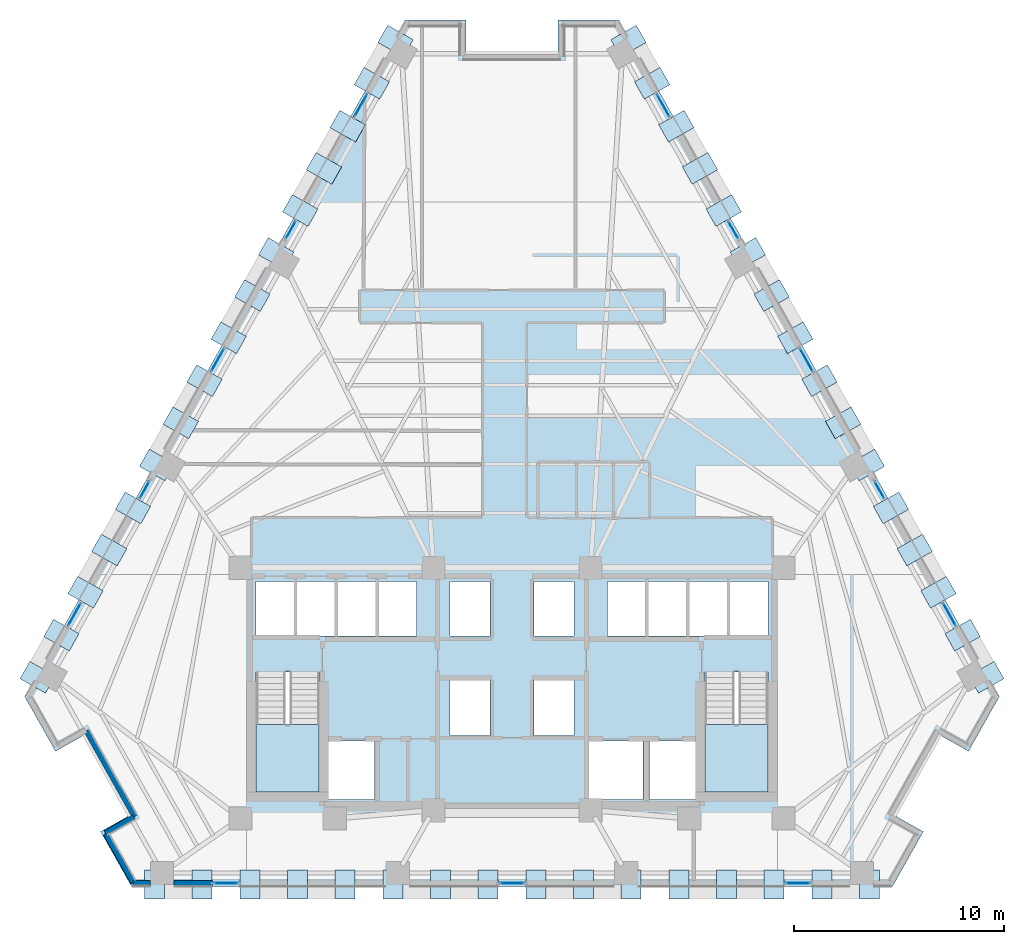
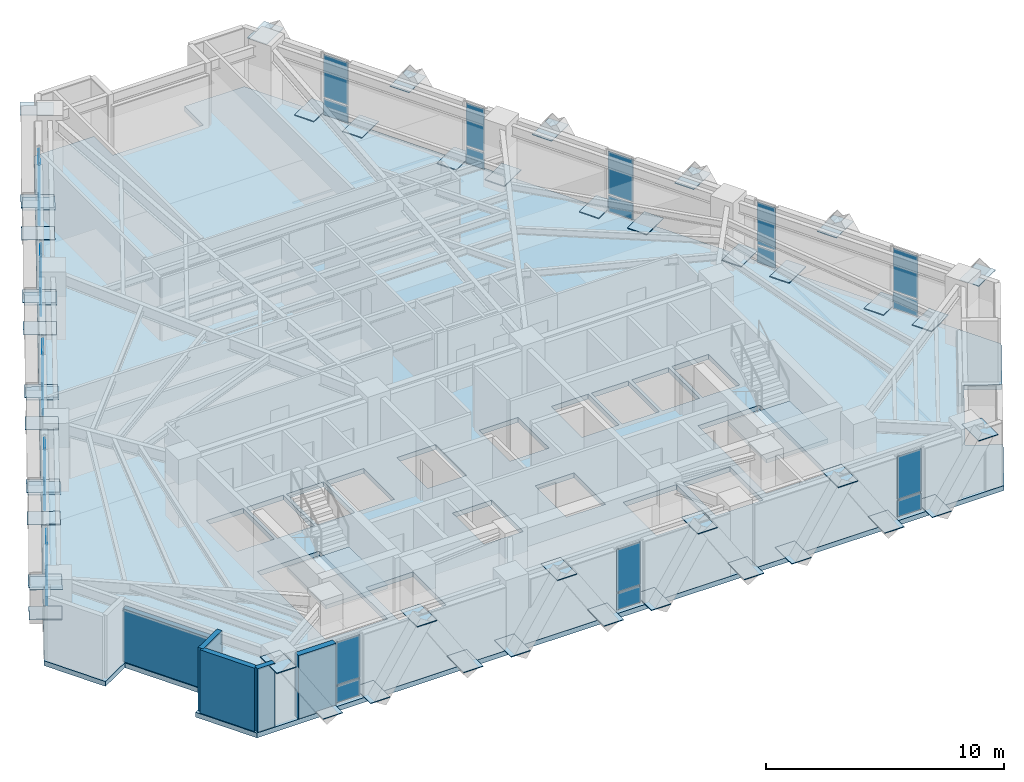
# One storey, part 6 of 13: 74 plates, 5 walls, 3 slabs, 15 elements without a shape of their own.
"""IFC4 building model written with IfcOpenShell, lengths in metres."""

from ifc_helpers import new_model, si_unit, direction, frame, frame_2d, origin, origin_2d, place, context, subcontext, project, spatial, polyline, rectangle, outline, extrude, material, layer, layer_set, type_object, element, aggregate, save


model = new_model("IFC4")

# Units and contexts
model_context = context("Model", 3, precision=1e-05, world=origin(), true_north=direction((0.0, 1.0)))
body_context = subcontext(model_context, "Body", "Model", "MODEL_VIEW")
ifc_project = project(units=[si_unit("LENGTHUNIT", "METRE"), si_unit("AREAUNIT", "SQUARE_METRE"), si_unit("VOLUMEUNIT", "CUBIC_METRE"), si_unit("PLANEANGLEUNIT", "RADIAN"), si_unit("MASSUNIT", "GRAM", prefix="KILO")], contexts=[model_context])

# Site, building, storey
site_placement = place(None, origin())
site = spatial("IfcSite", under=ifc_project, at=site_placement, CompositionType="ELEMENT")
building_placement = place(site_placement, origin())
building = spatial("IfcBuilding", under=site, at=building_placement, Name="Quenlor Broadcast Tower", CompositionType="ELEMENT")
storey_placement = place(building_placement, frame((0.0, 0.0, 83.60009765625)))
storey = spatial("IfcBuildingStorey", under=building, at=storey_placement, Name="L22", CompositionType="ELEMENT", Elevation=83.60009765625)

# Curtain wall, plates
ifc_material_1 = material(Name="Architectural Terracotta and Low-E Glazing", Category="masonry")
curtain_wall_type = type_object("IfcCurtainWallType", Name="Unitised Terracotta Curtain Wall System Z2", PredefinedType="NOTDEFINED", material=ifc_material_1)
curtain_wall_1_placement = place(storey_placement, origin())
curtain_wall_1 = element("IfcCurtainWall", 1, at=curtain_wall_1_placement, inside=storey, type_object=curtain_wall_type, Name="L22 Curtain Wall CW2 (L22-SA-G1)", PredefinedType="NOTDEFINED")
ifc_material_2 = material(Name="Double Glazed Low-E Solar Glass", Category="glass")
ifc_layer_1 = layer(ifc_material_2, 0.030029296875)
ifc_layer_set_1 = layer_set([ifc_layer_1], Name="CW2 Double Glazed Vision Panel 30")
plate_type_1 = type_object("IfcPlateType", Name="CW2 Double Glazed Vision Panel 30", PredefinedType="CURTAIN_PANEL", material=ifc_layer_set_1)
plate_1_placement = place(storey_placement, frame((13.63525390625, -19.840087890625, 0.074951171875), z_axis=(0.0, 0.0, 1.0), x_axis=(-1.0, 0.0, 0.0)))
plate_1 = element("IfcPlate", 2, at=plate_1_placement, type_object=plate_type_1, Name="CW2 panel 1.1", PredefinedType="CURTAIN_PANEL", context=body_context, shape_type="SweptSolid", body=[
    extrude(rectangle(XDim=1.1630859375, YDim=0.030029296875, at=origin_2d()), origin(), (0.0, 0.0, 1.0), 0.83740234375),
])
plate_2_placement = place(storey_placement, frame((13.63525390625, -19.840087890625, 0.9873046875), z_axis=(0.0, 0.0, 1.0), x_axis=(-1.0, 0.0, 0.0)))
plate_2 = element("IfcPlate", 3, at=plate_2_placement, type_object=plate_type_1, Name="CW2 panel 1.2", PredefinedType="CURTAIN_PANEL", context=body_context, shape_type="SweptSolid", body=[
    extrude(rectangle(XDim=1.1630859375, YDim=0.030029296875, at=origin_2d()), origin(), (0.0, 0.0, 1.0), 2.1875),
])
aggregate(curtain_wall_1, [plate_1, plate_2])

curtain_wall_2_placement = place(storey_placement, origin())
curtain_wall_2 = element("IfcCurtainWall", 4, at=curtain_wall_2_placement, inside=storey, type_object=curtain_wall_type, Name="L22 Curtain Wall CW2 (L22-SC-G1)", PredefinedType="NOTDEFINED")
plate_3_placement = place(storey_placement, frame((-13.63525390625, -19.840087890625, 0.074951171875), z_axis=(0.0, 0.0, 1.0), x_axis=(-1.0, 0.0, 0.0)))
plate_3 = element("IfcPlate", 5, at=plate_3_placement, type_object=plate_type_1, Name="CW2 panel 1.1", PredefinedType="CURTAIN_PANEL", context=body_context, shape_type="SweptSolid", body=[
    extrude(rectangle(XDim=1.1630859375, YDim=0.030029296875, at=origin_2d()), origin(), (0.0, 0.0, 1.0), 0.83740234375),
])
plate_4_placement = place(storey_placement, frame((-13.63525390625, -19.840087890625, 0.9873046875), z_axis=(0.0, 0.0, 1.0), x_axis=(-1.0, 0.0, 0.0)))
plate_4 = element("IfcPlate", 6, at=plate_4_placement, type_object=plate_type_1, Name="CW2 panel 1.2", PredefinedType="CURTAIN_PANEL", context=body_context, shape_type="SweptSolid", body=[
    extrude(rectangle(XDim=1.1630859375, YDim=0.030029296875, at=origin_2d()), origin(), (0.0, 0.0, 1.0), 2.1875),
])
aggregate(curtain_wall_2, [plate_3, plate_4])

curtain_wall_3_placement = place(storey_placement, origin())
curtain_wall_3 = element("IfcCurtainWall", 7, at=curtain_wall_3_placement, inside=storey, type_object=curtain_wall_type, Name="L22 Curtain Wall CW2 (L22-S-G1)", PredefinedType="NOTDEFINED")
plate_5_placement = place(storey_placement, frame((0.0, -19.840087890625, 0.074951171875), z_axis=(0.0, 0.0, 1.0), x_axis=(-1.0, 0.0, 0.0)))
plate_5 = element("IfcPlate", 8, at=plate_5_placement, type_object=plate_type_1, Name="CW2 panel 1.1", PredefinedType="CURTAIN_PANEL", context=body_context, shape_type="SweptSolid", body=[
    extrude(rectangle(XDim=1.1630859375, YDim=0.030029296875, at=origin_2d()), origin(), (0.0, 0.0, 1.0), 0.83740234375),
])
plate_6_placement = place(storey_placement, frame((0.0, -19.840087890625, 0.9873046875), z_axis=(0.0, 0.0, 1.0), x_axis=(-1.0, 0.0, 0.0)))
plate_6 = element("IfcPlate", 9, at=plate_6_placement, type_object=plate_type_1, Name="CW2 panel 1.2", PredefinedType="CURTAIN_PANEL", context=body_context, shape_type="SweptSolid", body=[
    extrude(rectangle(XDim=1.1630859375, YDim=0.030029296875, at=origin_2d()), origin(), (0.0, 0.0, 1.0), 2.1875),
])
aggregate(curtain_wall_3, [plate_5, plate_6])

curtain_wall_4_placement = place(storey_placement, origin())
curtain_wall_4 = element("IfcCurtainWall", 10, at=curtain_wall_4_placement, inside=storey, type_object=curtain_wall_type, Name="L22 Curtain Wall CW2 (L22-NEA-G1)", PredefinedType="NOTDEFINED")
plate_7_placement = place(storey_placement, frame((7.209228515625, 17.257080078125, 0.074951171875), z_axis=(0.0, 0.0, 1.0), x_axis=(0.490247320704, -0.871583366376, 0.0)))
plate_7 = element("IfcPlate", 11, at=plate_7_placement, type_object=plate_type_1, Name="CW2 panel 1.1", PredefinedType="CURTAIN_PANEL", context=body_context, shape_type="SweptSolid", body=[
    extrude(rectangle(XDim=1.21435546875, YDim=0.030029296875, at=origin_2d()), origin(), (0.0, 0.0, 1.0), 0.83740234375),
])
plate_8_placement = place(storey_placement, frame((7.209228515625, 17.257080078125, 0.9873046875), z_axis=(0.0, 0.0, 1.0), x_axis=(0.490247320704, -0.871583366376, 0.0)))
plate_8 = element("IfcPlate", 12, at=plate_8_placement, type_object=plate_type_1, Name="CW2 panel 1.2", PredefinedType="CURTAIN_PANEL", context=body_context, shape_type="SweptSolid", body=[
    extrude(rectangle(XDim=1.21435546875, YDim=0.030029296875, at=origin_2d()), origin(), (0.0, 0.0, 1.0), 2.1875),
])
aggregate(curtain_wall_4, [plate_7, plate_8])

curtain_wall_5_placement = place(storey_placement, origin())
curtain_wall_5 = element("IfcCurtainWall", 13, at=curtain_wall_5_placement, inside=storey, type_object=curtain_wall_type, Name="L22 Curtain Wall CW2 (L22-NEA-G2)", PredefinedType="NOTDEFINED")
plate_9_placement = place(storey_placement, frame((10.54736328125, 11.322998046875, 0.074951171875), z_axis=(0.0, 0.0, 1.0), x_axis=(0.490252261371, -0.871580587336, 0.0)))
plate_9 = element("IfcPlate", 14, at=plate_9_placement, type_object=plate_type_1, Name="CW2 panel 1.1", PredefinedType="CURTAIN_PANEL", context=body_context, shape_type="SweptSolid", body=[
    extrude(rectangle(XDim=0.90771484375, YDim=0.030029296875, at=origin_2d()), origin(), (0.0, 0.0, 1.0), 0.83740234375),
])
plate_10_placement = place(storey_placement, frame((10.54736328125, 11.322998046875, 0.9873046875), z_axis=(0.0, 0.0, 1.0), x_axis=(0.490252261371, -0.871580587336, 0.0)))
plate_10 = element("IfcPlate", 15, at=plate_10_placement, type_object=plate_type_1, Name="CW2 panel 1.2", PredefinedType="CURTAIN_PANEL", context=body_context, shape_type="SweptSolid", body=[
    extrude(rectangle(XDim=0.90771484375, YDim=0.030029296875, at=origin_2d()), origin(), (0.0, 0.0, 1.0), 2.1875),
])
aggregate(curtain_wall_5, [plate_9, plate_10])

curtain_wall_6_placement = place(storey_placement, origin())
curtain_wall_6 = element("IfcCurtainWall", 16, at=curtain_wall_6_placement, inside=storey, type_object=curtain_wall_type, Name="L22 Curtain Wall CW2 (L22-NEC-G1)", PredefinedType="NOTDEFINED")
plate_11_placement = place(storey_placement, frame((17.523681640625, -1.079833984375, 0.074951171875), z_axis=(0.0, 0.0, 1.0), x_axis=(0.490252261371, -0.871580587336, 0.0)))
plate_11 = element("IfcPlate", 17, at=plate_11_placement, type_object=plate_type_1, Name="CW2 panel 1.1", PredefinedType="CURTAIN_PANEL", context=body_context, shape_type="SweptSolid", body=[
    extrude(rectangle(XDim=0.90771484375, YDim=0.030029296875, at=origin_2d()), origin(), (0.0, 0.0, 1.0), 0.83740234375),
])
plate_12_placement = place(storey_placement, frame((17.523681640625, -1.079833984375, 0.9873046875), z_axis=(0.0, 0.0, 1.0), x_axis=(0.490252261371, -0.871580587336, 0.0)))
plate_12 = element("IfcPlate", 18, at=plate_12_placement, type_object=plate_type_1, Name="CW2 panel 1.2", PredefinedType="CURTAIN_PANEL", context=body_context, shape_type="SweptSolid", body=[
    extrude(rectangle(XDim=0.90771484375, YDim=0.030029296875, at=origin_2d()), origin(), (0.0, 0.0, 1.0), 2.1875),
])
aggregate(curtain_wall_6, [plate_11, plate_12])

curtain_wall_7_placement = place(storey_placement, origin())
curtain_wall_7 = element("IfcCurtainWall", 19, at=curtain_wall_7_placement, inside=storey, type_object=curtain_wall_type, Name="L22 Curtain Wall CW2 (L22-NEC-G2)", PredefinedType="NOTDEFINED")
plate_13_placement = place(storey_placement, frame((20.861572265625, -7.013916015625, 0.074951171875), z_axis=(0.0, 0.0, 1.0), x_axis=(0.490278639232, -0.871565749621, 0.0)))
plate_13 = element("IfcPlate", 20, at=plate_13_placement, type_object=plate_type_1, Name="CW2 panel 1.1", PredefinedType="CURTAIN_PANEL", context=body_context, shape_type="SweptSolid", body=[
    extrude(rectangle(XDim=1.21435546875, YDim=0.030029296875, at=origin_2d()), origin(), (0.0, 0.0, 1.0), 0.83740234375),
])
plate_14_placement = place(storey_placement, frame((20.861572265625, -7.013916015625, 0.9873046875), z_axis=(0.0, 0.0, 1.0), x_axis=(0.490278639232, -0.871565749621, 0.0)))
plate_14 = element("IfcPlate", 21, at=plate_14_placement, type_object=plate_type_1, Name="CW2 panel 1.2", PredefinedType="CURTAIN_PANEL", context=body_context, shape_type="SweptSolid", body=[
    extrude(rectangle(XDim=1.21435546875, YDim=0.030029296875, at=origin_2d()), origin(), (0.0, 0.0, 1.0), 2.1875),
])
aggregate(curtain_wall_7, [plate_13, plate_14])

curtain_wall_8_placement = place(storey_placement, origin())
curtain_wall_8 = element("IfcCurtainWall", 22, at=curtain_wall_8_placement, inside=storey, type_object=curtain_wall_type, Name="L22 Curtain Wall CW2 (L22-NE-G1)", PredefinedType="NOTDEFINED")
plate_15_placement = place(storey_placement, frame((14.035400390625, 5.12158203125, 0.074951171875), z_axis=(0.0, 0.0, 1.0), x_axis=(0.490254279037, -0.871579452423, 0.0)))
plate_15 = element("IfcPlate", 23, at=plate_15_placement, type_object=plate_type_1, Name="CW2 panel 1.1", PredefinedType="CURTAIN_PANEL", context=body_context, shape_type="SweptSolid", body=[
    extrude(rectangle(XDim=1.214111328125, YDim=0.030029296875, at=origin_2d()), origin(), (0.0, 0.0, 1.0), 0.83740234375),
])
plate_16_placement = place(storey_placement, frame((14.035400390625, 5.12158203125, 0.9873046875), z_axis=(0.0, 0.0, 1.0), x_axis=(0.490254279037, -0.871579452423, 0.0)))
plate_16 = element("IfcPlate", 24, at=plate_16_placement, type_object=plate_type_1, Name="CW2 panel 1.2", PredefinedType="CURTAIN_PANEL", context=body_context, shape_type="SweptSolid", body=[
    extrude(rectangle(XDim=1.214111328125, YDim=0.030029296875, at=origin_2d()), origin(), (0.0, 0.0, 1.0), 2.1875),
])
aggregate(curtain_wall_8, [plate_15, plate_16])

curtain_wall_9_placement = place(storey_placement, origin())
curtain_wall_9 = element("IfcCurtainWall", 25, at=curtain_wall_9_placement, inside=storey, type_object=curtain_wall_type, Name="L22 Curtain Wall CW2 (L22-NWA-G1)", PredefinedType="NOTDEFINED")
plate_17_placement = place(storey_placement, frame((-20.861572265625, -7.013916015625, 0.074951171875), z_axis=(0.0, 0.0, 1.0), x_axis=(0.490278639232, 0.871565749621, 0.0)))
plate_17 = element("IfcPlate", 26, at=plate_17_placement, type_object=plate_type_1, Name="CW2 panel 1.1", PredefinedType="CURTAIN_PANEL", context=body_context, shape_type="SweptSolid", body=[
    extrude(rectangle(XDim=1.21435546875, YDim=0.030029296875, at=origin_2d()), origin(), (0.0, 0.0, 1.0), 0.83740234375),
])
plate_18_placement = place(storey_placement, frame((-20.861572265625, -7.013916015625, 0.9873046875), z_axis=(0.0, 0.0, 1.0), x_axis=(0.490278639232, 0.871565749621, 0.0)))
plate_18 = element("IfcPlate", 27, at=plate_18_placement, type_object=plate_type_1, Name="CW2 panel 1.2", PredefinedType="CURTAIN_PANEL", context=body_context, shape_type="SweptSolid", body=[
    extrude(rectangle(XDim=1.21435546875, YDim=0.030029296875, at=origin_2d()), origin(), (0.0, 0.0, 1.0), 2.1875),
])
aggregate(curtain_wall_9, [plate_17, plate_18])

curtain_wall_10_placement = place(storey_placement, origin())
curtain_wall_10 = element("IfcCurtainWall", 28, at=curtain_wall_10_placement, inside=storey, type_object=curtain_wall_type, Name="L22 Curtain Wall CW2 (L22-NWA-G2)", PredefinedType="NOTDEFINED")
plate_19_placement = place(storey_placement, frame((-17.523681640625, -1.079833984375, 0.074951171875), z_axis=(0.0, 0.0, 1.0), x_axis=(0.490252261371, 0.871580587336, 0.0)))
plate_19 = element("IfcPlate", 29, at=plate_19_placement, type_object=plate_type_1, Name="CW2 panel 1.1", PredefinedType="CURTAIN_PANEL", context=body_context, shape_type="SweptSolid", body=[
    extrude(rectangle(XDim=0.90771484375, YDim=0.030029296875, at=origin_2d()), origin(), (0.0, 0.0, 1.0), 0.83740234375),
])
plate_20_placement = place(storey_placement, frame((-17.523681640625, -1.079833984375, 0.9873046875), z_axis=(0.0, 0.0, 1.0), x_axis=(0.490252261371, 0.871580587336, 0.0)))
plate_20 = element("IfcPlate", 30, at=plate_20_placement, type_object=plate_type_1, Name="CW2 panel 1.2", PredefinedType="CURTAIN_PANEL", context=body_context, shape_type="SweptSolid", body=[
    extrude(rectangle(XDim=0.90771484375, YDim=0.030029296875, at=origin_2d()), origin(), (0.0, 0.0, 1.0), 2.1875),
])
aggregate(curtain_wall_10, [plate_19, plate_20])

curtain_wall_11_placement = place(storey_placement, origin())
curtain_wall_11 = element("IfcCurtainWall", 31, at=curtain_wall_11_placement, inside=storey, type_object=curtain_wall_type, Name="L22 Curtain Wall CW2 (L22-NWC-G1)", PredefinedType="NOTDEFINED")
plate_21_placement = place(storey_placement, frame((-10.54736328125, 11.322998046875, 0.074951171875), z_axis=(0.0, 0.0, 1.0), x_axis=(0.490252261371, 0.871580587336, 0.0)))
plate_21 = element("IfcPlate", 32, at=plate_21_placement, type_object=plate_type_1, Name="CW2 panel 1.1", PredefinedType="CURTAIN_PANEL", context=body_context, shape_type="SweptSolid", body=[
    extrude(rectangle(XDim=0.90771484375, YDim=0.030029296875, at=origin_2d()), origin(), (0.0, 0.0, 1.0), 0.83740234375),
])
plate_22_placement = place(storey_placement, frame((-10.54736328125, 11.322998046875, 0.9873046875), z_axis=(0.0, 0.0, 1.0), x_axis=(0.490252261371, 0.871580587336, 0.0)))
plate_22 = element("IfcPlate", 33, at=plate_22_placement, type_object=plate_type_1, Name="CW2 panel 1.2", PredefinedType="CURTAIN_PANEL", context=body_context, shape_type="SweptSolid", body=[
    extrude(rectangle(XDim=0.90771484375, YDim=0.030029296875, at=origin_2d()), origin(), (0.0, 0.0, 1.0), 2.1875),
])
aggregate(curtain_wall_11, [plate_21, plate_22])

curtain_wall_12_placement = place(storey_placement, origin())
curtain_wall_12 = element("IfcCurtainWall", 34, at=curtain_wall_12_placement, inside=storey, type_object=curtain_wall_type, Name="L22 Curtain Wall CW2 (L22-NWC-G2)", PredefinedType="NOTDEFINED")
plate_23_placement = place(storey_placement, frame((-7.209228515625, 17.257080078125, 0.074951171875), z_axis=(0.0, 0.0, 1.0), x_axis=(0.490247320704, 0.871583366376, 0.0)))
plate_23 = element("IfcPlate", 35, at=plate_23_placement, type_object=plate_type_1, Name="CW2 panel 1.1", PredefinedType="CURTAIN_PANEL", context=body_context, shape_type="SweptSolid", body=[
    extrude(rectangle(XDim=1.21435546875, YDim=0.030029296875, at=origin_2d()), origin(), (0.0, 0.0, 1.0), 0.83740234375),
])
plate_24_placement = place(storey_placement, frame((-7.209228515625, 17.257080078125, 0.9873046875), z_axis=(0.0, 0.0, 1.0), x_axis=(0.490247320704, 0.871583366376, 0.0)))
plate_24 = element("IfcPlate", 36, at=plate_24_placement, type_object=plate_type_1, Name="CW2 panel 1.2", PredefinedType="CURTAIN_PANEL", context=body_context, shape_type="SweptSolid", body=[
    extrude(rectangle(XDim=1.21435546875, YDim=0.030029296875, at=origin_2d()), origin(), (0.0, 0.0, 1.0), 2.1875),
])
aggregate(curtain_wall_12, [plate_23, plate_24])

curtain_wall_13_placement = place(storey_placement, origin())
curtain_wall_13 = element("IfcCurtainWall", 37, at=curtain_wall_13_placement, inside=storey, type_object=curtain_wall_type, Name="L22 Curtain Wall CW2 (L22-NW-G1)", PredefinedType="NOTDEFINED")
plate_25_placement = place(storey_placement, frame((-14.035400390625, 5.12158203125, 0.074951171875), z_axis=(0.0, 0.0, 1.0), x_axis=(0.490254279037, 0.871579452423, 0.0)))
plate_25 = element("IfcPlate", 38, at=plate_25_placement, type_object=plate_type_1, Name="CW2 panel 1.1", PredefinedType="CURTAIN_PANEL", context=body_context, shape_type="SweptSolid", body=[
    extrude(rectangle(XDim=1.214111328125, YDim=0.030029296875, at=origin_2d()), origin(), (0.0, 0.0, 1.0), 0.83740234375),
])
plate_26_placement = place(storey_placement, frame((-14.035400390625, 5.12158203125, 0.9873046875), z_axis=(0.0, 0.0, 1.0), x_axis=(0.490254279037, 0.871579452423, 0.0)))
plate_26 = element("IfcPlate", 39, at=plate_26_placement, type_object=plate_type_1, Name="CW2 panel 1.2", PredefinedType="CURTAIN_PANEL", context=body_context, shape_type="SweptSolid", body=[
    extrude(rectangle(XDim=1.214111328125, YDim=0.030029296875, at=origin_2d()), origin(), (0.0, 0.0, 1.0), 2.1875),
])
aggregate(curtain_wall_13, [plate_25, plate_26])

# Stair, slab
ifc_material_3 = material(Name="Precast concrete C40/50", Category="concrete")
stair_type = type_object("IfcStairType", Name="Precast Concrete C40/50 Dogleg Stair H350", PredefinedType="HALF_TURN_STAIR", material=ifc_material_3)
stair_1_placement = place(storey_placement, origin())
stair_1 = element("IfcStair", 40, at=stair_1_placement, inside=storey, type_object=stair_type, Name="L22 West Core Fire-Isolated Exit Stair ST-1", PredefinedType="HALF_TURN_STAIR")
ifc_material_4 = material(Name="Precast concrete C40/50", Category="concrete")
ifc_layer_2 = layer(ifc_material_4, 0.199951171875)
ifc_layer_set_2 = layer_set([ifc_layer_2], Name="Precast Concrete C40/50 Stair Landing Slab 200")
slab_type_1 = type_object("IfcSlabType", Name="Precast Concrete C40/50 Stair Landing Slab 200", PredefinedType="LANDING", material=ifc_layer_set_2)
slab_1_placement = place(storey_placement, frame((0.0, 0.0, 1.5498046875)))
slab_1 = element("IfcSlab", 41, at=slab_1_placement, type_object=slab_type_1, Name="ST-1 landing 1", PredefinedType="LANDING", context=body_context, shape_type="SweptSolid", body=[
    extrude(outline(polyline([(-12.199951171875, -12.27001953125), (-12.199951171875, -15.5), (-9.199951171875, -15.5), (-9.199951171875, -12.27001953125), (-12.199951171875, -12.27001953125)])), origin(), (0.0, 0.0, 1.0), 0.2001953125),
])
aggregate(stair_1, [slab_1])

stair_2_placement = place(storey_placement, origin())
stair_2 = element("IfcStair", 42, at=stair_2_placement, inside=storey, type_object=stair_type, Name="L22 East Core Fire-Isolated Exit Stair ST-2", PredefinedType="HALF_TURN_STAIR")
slab_2_placement = place(storey_placement, frame((0.0, 0.0, 1.5498046875)))
slab_2 = element("IfcSlab", 43, at=slab_2_placement, type_object=slab_type_1, Name="ST-2 landing 1", PredefinedType="LANDING", context=body_context, shape_type="SweptSolid", body=[
    extrude(outline(polyline([(9.199951171875, -12.27001953125), (9.199951171875, -15.5), (12.199951171875, -15.5), (12.199951171875, -12.27001953125), (9.199951171875, -12.27001953125)])), origin(), (0.0, 0.0, 1.0), 0.2001953125),
])
aggregate(stair_2, [slab_2])

# Slab
ifc_material_5 = material(Name="Concrete C40/50", Category="concrete")
ifc_layer_3 = layer(ifc_material_5, 0.25)
ifc_layer_set_3 = layer_set([ifc_layer_3], Name="Tower Composite Concrete C40/50 Slab 250")
slab_type_2 = type_object("IfcSlabType", Name="Tower Composite Concrete C40/50 Slab 250", PredefinedType="FLOOR", material=ifc_layer_set_3)
slab_3_placement = place(storey_placement, frame((0.0, 0.0, -0.25)))
element("IfcSlab", 44, at=slab_3_placement, inside=storey, type_object=slab_type_2, Name="L22 Structural Floor Slab", PredefinedType="FLOOR", context=body_context, shape_type="SweptSolid", body=[
    extrude(outline(polyline([(18.14404296875, -20.0), (19.616943359375, -17.381591796875), (18.222412109375, -16.596923828125), (20.379638671875, -12.76220703125), (21.774169921875, -13.54638671875), (23.2470703125, -10.927978515625), (5.10302734375, 21.327880859375), (2.199951171875, 21.327880859375), (2.199951171875, 19.72802734375), (-2.199951171875, 19.72802734375), (-2.199951171875, 21.327880859375), (-5.10302734375, 21.327880859375), (-23.2470703125, -10.927978515625), (-21.774169921875, -13.54638671875), (-20.379638671875, -12.76220703125), (-18.222412109375, -16.596923828125), (-19.616943359375, -17.381591796875), (-18.14404296875, -20.0), (18.14404296875, -20.0)]), holes=[polyline([(-12.199951171875, -9.758056640625), (-12.199951171875, -15.5), (-9.199951171875, -15.5), (-9.199951171875, -9.758056640625), (-12.199951171875, -9.758056640625)]), polyline([(9.199951171875, -9.758056640625), (9.199951171875, -15.5), (12.199951171875, -15.5), (12.199951171875, -9.758056640625), (9.199951171875, -9.758056640625)]), polyline([(-12.199951171875, -8.050048828125), (-10.39990234375, -8.050048828125), (-10.39990234375, -5.449951171875), (-12.199951171875, -5.449951171875), (-12.199951171875, -8.050048828125)]), polyline([(-10.25, -8.050048828125), (-8.449951171875, -8.050048828125), (-8.449951171875, -5.449951171875), (-10.25, -5.449951171875), (-10.25, -8.050048828125)]), polyline([(-8.300048828125, -8.050048828125), (-6.5, -8.050048828125), (-6.5, -5.449951171875), (-8.300048828125, -5.449951171875), (-8.300048828125, -8.050048828125)]), polyline([(-6.35009765625, -8.050048828125), (-4.550048828125, -8.050048828125), (-4.550048828125, -5.449951171875), (-6.35009765625, -5.449951171875), (-6.35009765625, -8.050048828125)]), polyline([(-2.949951171875, -8.050048828125), (-1.050048828125, -8.050048828125), (-1.050048828125, -5.449951171875), (-2.949951171875, -5.449951171875), (-2.949951171875, -8.050048828125)]), polyline([(1.050048828125, -8.050048828125), (2.949951171875, -8.050048828125), (2.949951171875, -5.449951171875), (1.050048828125, -5.449951171875), (1.050048828125, -8.050048828125)]), polyline([(-2.949951171875, -12.800048828125), (-1.050048828125, -12.800048828125), (-1.050048828125, -10.14990234375), (-2.949951171875, -10.14990234375), (-2.949951171875, -12.800048828125)]), polyline([(1.050048828125, -12.800048828125), (2.949951171875, -12.800048828125), (2.949951171875, -10.14990234375), (1.050048828125, -10.14990234375), (1.050048828125, -12.800048828125)]), polyline([(4.550048828125, -8.050048828125), (6.35009765625, -8.050048828125), (6.35009765625, -5.449951171875), (4.550048828125, -5.449951171875), (4.550048828125, -8.050048828125)]), polyline([(6.5, -8.050048828125), (8.300048828125, -8.050048828125), (8.300048828125, -5.449951171875), (6.5, -5.449951171875), (6.5, -8.050048828125)]), polyline([(8.449951171875, -8.050048828125), (10.25, -8.050048828125), (10.25, -5.449951171875), (8.449951171875, -5.449951171875), (8.449951171875, -8.050048828125)]), polyline([(10.39990234375, -8.050048828125), (12.199951171875, -8.050048828125), (12.199951171875, -5.449951171875), (10.39990234375, -5.449951171875), (10.39990234375, -8.050048828125)]), polyline([(-8.85009765625, -15.85009765625), (-6.550048828125, -15.85009765625), (-6.550048828125, -13.050048828125), (-8.85009765625, -13.050048828125), (-8.85009765625, -15.85009765625)]), polyline([(6.550048828125, -15.85009765625), (8.85009765625, -15.85009765625), (8.85009765625, -13.050048828125), (6.550048828125, -13.050048828125), (6.550048828125, -15.85009765625)]), polyline([(3.64990234375, -15.85009765625), (6.25, -15.85009765625), (6.25, -13.050048828125), (3.64990234375, -13.050048828125), (3.64990234375, -15.85009765625)])]), origin(), (0.0, 0.0, 1.0), 0.25),
])

# Plates
ifc_material_6 = material(Name="Steel S355", Category="steel")
ifc_layer_4 = layer(ifc_material_6, 0.035888671875)
ifc_layer_set_4 = layer_set([ifc_layer_4], Name="Transfer Truss Steel S355 Gusset Node Plate 1400x950x36")
plate_type_2 = type_object("IfcPlateType", Name="Transfer Truss Steel S355 Gusset Node Plate 1400x950x36", PredefinedType="SHEET", material=ifc_layer_set_4)
for number, where, z_axis, x_axis, name in (
    (45, (12.4853515625, -19.89990234375, 0.0419921875), (0.0, 0.0, 1.0), (0.0, -1.0, 0.0), "L22 Lattice Tie Gusset Node S-B2"),
    (46, (10.226318359375, -19.89990234375, 3.18212890625), (0.0, 0.0, 1.0), (0.0, -1.0, 0.0), "L22 Lattice Tie Gusset Node S-T3"),
    (47, (14.78515625, -19.89990234375, 0.0419921875), (0.0, 0.0, 1.0), (0.0, -1.0, 0.0), "L22 Lattice Tie Gusset Node S-B1"),
    (48, (17.0439453125, -19.89990234375, 3.18212890625), (0.0, 0.0, 1.0), (0.0, -1.0, 0.0), "L22 Lattice Tie Gusset Node S-T0"),
    (49, (5.667724609375, -19.89990234375, 0.0419921875), (0.0, 0.0, 1.0), (0.0, -1.0, 0.0), "L22 Lattice Tie Gusset Node S-B5"),
    (50, (3.40869140625, -19.89990234375, 3.18212890625), (0.0, 0.0, 1.0), (0.0, -1.0, 0.0), "L22 Lattice Tie Gusset Node S-T6"),
    (51, (7.967529296875, -19.89990234375, 0.0419921875), (0.0, 0.0, 1.0), (0.0, -1.0, 0.0), "L22 Lattice Tie Gusset Node S-B4"),
    (52, (-1.14990234375, -19.89990234375, 0.0419921875), (0.0, 0.0, 1.0), (0.0, -1.0, 0.0), "L22 Lattice Tie Gusset Node S-B8"),
    (53, (-3.40869140625, -19.89990234375, 3.18212890625), (0.0, 0.0, 1.0), (0.0, -1.0, 0.0), "L22 Lattice Tie Gusset Node S-T9"),
    (54, (1.14990234375, -19.89990234375, 0.0419921875), (0.0, 0.0, 1.0), (0.0, -1.0, 0.0), "L22 Lattice Tie Gusset Node S-B7"),
    (55, (-7.967529296875, -19.89990234375, 0.0419921875), (0.0, 0.0, 1.0), (0.0, -1.0, 0.0), "L22 Lattice Tie Gusset Node S-B11"),
    (56, (-10.226318359375, -19.89990234375, 3.18212890625), (0.0, 0.0, 1.0), (0.0, -1.0, 0.0), "L22 Lattice Tie Gusset Node S-T12"),
    (57, (-5.667724609375, -19.89990234375, 0.0419921875), (0.0, 0.0, 1.0), (0.0, -1.0, 0.0), "L22 Lattice Tie Gusset Node S-B10"),
    (58, (-14.78515625, -19.89990234375, 0.0419921875), (0.0, 0.0, 1.0), (0.0, -1.0, 0.0), "L22 Lattice Tie Gusset Node S-B14"),
    (59, (-17.0439453125, -19.89990234375, 3.18212890625), (0.0, 0.0, 1.0), (0.0, -1.0, 0.0), "L22 Lattice Tie Gusset Node S-T15"),
    (60, (-12.4853515625, -19.89990234375, 0.0419921875), (0.0, 0.0, 1.0), (0.0, -1.0, 0.0), "L22 Lattice Tie Gusset Node S-B13"),
    (61, (7.83740234375, 16.262939453125, 0.0419921875), (0.0, 0.0, 1.0), (0.871556314255, 0.490295412055, 0.0), "L22 Lattice Tie Gusset Node NE-B2"),
    (62, (8.96826171875, 14.252685546875, 3.18212890625), (0.0, 0.0, 1.0), (0.871556314255, 0.490295412055, 0.0), "L22 Lattice Tie Gusset Node NE-T3"),
    (63, (6.68603515625, 18.309814453125, 0.0419921875), (0.0, 0.0, 1.0), (0.871556314255, 0.490295412055, 0.0), "L22 Lattice Tie Gusset Node NE-B1"),
    (64, (5.55517578125, 20.3203125, 3.18212890625), (0.0, 0.0, 1.0), (0.871556314255, 0.490295412055, 0.0), "L22 Lattice Tie Gusset Node NE-T0"),
    (65, (11.25048828125, 10.1953125, 0.0419921875), (0.0, 0.0, 1.0), (0.871556314255, 0.490295412055, 0.0), "L22 Lattice Tie Gusset Node NE-B5"),
    (66, (12.38134765625, 8.184814453125, 3.18212890625), (0.0, 0.0, 1.0), (0.871556314255, 0.490295412055, 0.0), "L22 Lattice Tie Gusset Node NE-T6"),
    (67, (10.09912109375, 12.2421875, 0.0419921875), (0.0, 0.0, 1.0), (0.871556314255, 0.490295412055, 0.0), "L22 Lattice Tie Gusset Node NE-B4"),
    (68, (14.66357421875, 4.127685546875, 0.0419921875), (0.0, 0.0, 1.0), (0.871556314255, 0.490295412055, 0.0), "L22 Lattice Tie Gusset Node NE-B8"),
    (69, (15.794189453125, 2.1171875, 3.18212890625), (0.0, 0.0, 1.0), (0.871556314255, 0.490295412055, 0.0), "L22 Lattice Tie Gusset Node NE-T9"),
    (70, (13.51220703125, 6.17431640625, 0.0419921875), (0.0, 0.0, 1.0), (0.871556314255, 0.490295412055, 0.0), "L22 Lattice Tie Gusset Node NE-B7"),
    (71, (18.07666015625, -1.940185546875, 0.0419921875), (0.0, 0.0, 1.0), (0.871556314255, 0.490295412055, 0.0), "L22 Lattice Tie Gusset Node NE-B11"),
    (72, (19.20751953125, -3.950439453125, 3.18212890625), (0.0, 0.0, 1.0), (0.871556314255, 0.490295412055, 0.0), "L22 Lattice Tie Gusset Node NE-T12"),
    (73, (16.92529296875, 0.106689453125, 0.0419921875), (0.0, 0.0, 1.0), (0.871556314255, 0.490295412055, 0.0), "L22 Lattice Tie Gusset Node NE-B10"),
    (74, (21.489501953125, -8.0078125, 0.0419921875), (0.0, 0.0, 1.0), (0.871556314255, 0.490295412055, 0.0), "L22 Lattice Tie Gusset Node NE-B14"),
    (75, (22.62060546875, -10.018310546875, 3.18212890625), (0.0, 0.0, 1.0), (0.871556314255, 0.490295412055, 0.0), "L22 Lattice Tie Gusset Node NE-T15"),
    (76, (20.33837890625, -5.9609375, 0.0419921875), (0.0, 0.0, 1.0), (0.871556314255, 0.490295412055, 0.0), "L22 Lattice Tie Gusset Node NE-B13"),
    (77, (-20.33837890625, -5.9609375, 0.0419921875), (0.0, 0.0, 1.0), (-0.871556314255, 0.490295412055, 0.0), "L22 Lattice Tie Gusset Node NW-B2"),
    (78, (-19.20751953125, -3.950439453125, 3.18212890625), (0.0, 0.0, 1.0), (-0.871556314255, 0.490295412055, 0.0), "L22 Lattice Tie Gusset Node NW-T3"),
    (79, (-21.489501953125, -8.0078125, 0.0419921875), (0.0, 0.0, 1.0), (-0.871556314255, 0.490295412055, 0.0), "L22 Lattice Tie Gusset Node NW-B1"),
    (80, (-22.62060546875, -10.018310546875, 3.18212890625), (0.0, 0.0, 1.0), (-0.871556314255, 0.490295412055, 0.0), "L22 Lattice Tie Gusset Node NW-T0"),
    (81, (-16.92529296875, 0.106689453125, 0.0419921875), (0.0, 0.0, 1.0), (-0.871556314255, 0.490295412055, 0.0), "L22 Lattice Tie Gusset Node NW-B5"),
    (82, (-15.794189453125, 2.1171875, 3.18212890625), (0.0, 0.0, 1.0), (-0.871556314255, 0.490295412055, 0.0), "L22 Lattice Tie Gusset Node NW-T6"),
    (83, (-18.07666015625, -1.940185546875, 0.0419921875), (0.0, 0.0, 1.0), (-0.871556314255, 0.490295412055, 0.0), "L22 Lattice Tie Gusset Node NW-B4"),
    (84, (-13.51220703125, 6.17431640625, 0.0419921875), (0.0, 0.0, 1.0), (-0.871556314255, 0.490295412055, 0.0), "L22 Lattice Tie Gusset Node NW-B8"),
    (85, (-12.38134765625, 8.184814453125, 3.18212890625), (0.0, 0.0, 1.0), (-0.871556314255, 0.490295412055, 0.0), "L22 Lattice Tie Gusset Node NW-T9"),
    (86, (-14.66357421875, 4.127685546875, 0.0419921875), (0.0, 0.0, 1.0), (-0.871556314255, 0.490295412055, 0.0), "L22 Lattice Tie Gusset Node NW-B7"),
    (87, (-10.09912109375, 12.2421875, 0.0419921875), (0.0, 0.0, 1.0), (-0.871556314255, 0.490295412055, 0.0), "L22 Lattice Tie Gusset Node NW-B11"),
    (88, (-8.96826171875, 14.252685546875, 3.18212890625), (0.0, 0.0, 1.0), (-0.871556314255, 0.490295412055, 0.0), "L22 Lattice Tie Gusset Node NW-T12"),
    (89, (-11.25048828125, 10.1953125, 0.0419921875), (0.0, 0.0, 1.0), (-0.871556314255, 0.490295412055, 0.0), "L22 Lattice Tie Gusset Node NW-B10"),
    (90, (-6.68603515625, 18.309814453125, 0.0419921875), (0.0, 0.0, 1.0), (-0.871556314255, 0.490295412055, 0.0), "L22 Lattice Tie Gusset Node NW-B14"),
    (91, (-5.55517578125, 20.3203125, 3.18212890625), (0.0, 0.0, 1.0), (-0.871556314255, 0.490295412055, 0.0), "L22 Lattice Tie Gusset Node NW-T15"),
    (92, (-7.83740234375, 16.262939453125, 0.0419921875), (0.0, 0.0, 1.0), (-0.871556314255, 0.490295412055, 0.0), "L22 Lattice Tie Gusset Node NW-B13"),
):
    element("IfcPlate", number, at=place(storey_placement, frame(where, z_axis=z_axis, x_axis=x_axis)), inside=storey, type_object=plate_type_2, Name=name, PredefinedType="SHEET", context=body_context, shape_type="SweptSolid", body=[
        extrude(rectangle(XDim=1.39990234375, YDim=0.949951171875, at=origin_2d()), origin(), (0.0, 0.0, 1.0), 0.035888671875),
    ])

# Walls
ifc_material_7 = material(Name="Precast concrete C40/50", Category="concrete")
ifc_layer_5 = layer(ifc_material_7, 0.239990234375)
ifc_layer_set_5 = layer_set([ifc_layer_5], Name="Terrace Threshold Precast Concrete C40/50 Wall 240")
wall_type_1 = type_object("IfcWallType", Name="Terrace Threshold Precast Concrete C40/50 Wall 240", PredefinedType="STANDARD", material=ifc_layer_set_5)
wall_1_placement = place(storey_placement, frame((-17.24755859375, -19.840087890625, 0.0), z_axis=(0.0, 0.0, 1.0), x_axis=(-1.0, 0.0, 0.0)))
element("IfcWall", 93, at=wall_1_placement, inside=storey, type_object=wall_type_1, Name="L22 Exterior Wall L22-SHD-SS1", PredefinedType="STANDARD", context=body_context, shape_type="SweptSolid", body=[
    extrude(rectangle(XDim=0.83642578125, YDim=0.239990234375, at=frame_2d((0.418212890625, 0.0))), origin(), (0.0, 0.0, 1.0), 3.25),
])
wall_2_placement = place(storey_placement, frame((-20.299072265625, -12.5791015625, 0.0), z_axis=(0.0, 0.0, 1.0), x_axis=(0.490313250496, -0.871546278971, 0.0)))
element("IfcWall", 94, at=wall_2_placement, inside=storey, type_object=wall_type_1, Name="L22 Exterior Wall L22-CNR-14", PredefinedType="STANDARD", context=body_context, shape_type="SweptSolid", body=[
    extrude(rectangle(XDim=4.679931640625, YDim=0.239990234375, at=frame_2d((2.33984375, 0.0))), origin(), (0.0, 0.0, 1.0), 2.7216796875),
])
wall_3_placement = place(storey_placement, frame((-18.039306640625, -16.677490234375, 0.0), z_axis=(0.0, 0.0, 1.0), x_axis=(-0.871546278971, -0.490313250496, 0.0)))
element("IfcWall", 95, at=wall_3_placement, inside=storey, type_object=wall_type_1, Name="L22 Exterior Wall L22-CNR-15", PredefinedType="STANDARD", context=body_context, shape_type="SweptSolid", body=[
    extrude(rectangle(XDim=1.56005859375, YDim=0.239990234375, at=frame_2d((0.780029296875, 0.0))), origin(), (0.0, 0.0, 1.0), 3.25),
])
wall_4_placement = place(storey_placement, frame((-19.37939453125, -17.477294921875, 0.0), z_axis=(0.0, 0.0, 1.0), x_axis=(0.49023085981, -0.871592625078, 0.0)))
element("IfcWall", 96, at=wall_4_placement, inside=storey, type_object=wall_type_1, Name="L22 Exterior Wall L22-CNR-16", PredefinedType="STANDARD", context=body_context, shape_type="SweptSolid", body=[
    extrude(rectangle(XDim=2.6708984375, YDim=0.239990234375, at=frame_2d((1.33544921875, 0.0))), origin(), (0.0, 0.0, 1.0), 3.25),
])
ifc_material_8 = material(Name="Precast concrete C40/50", Category="concrete")
ifc_layer_6 = layer(ifc_material_8, 0.280029296875)
ifc_layer_set_6 = layer_set([ifc_layer_6], Name="Terracotta Precast Concrete C40/50 Facade Wall 280")
wall_type_2 = type_object("IfcWallType", Name="Terracotta Precast Concrete C40/50 Facade Wall 280", PredefinedType="STANDARD", material=ifc_layer_set_6)
wall_5_placement = place(storey_placement, frame((-14.291748046875, -19.840087890625, 0.0), z_axis=(0.0, 0.0, 1.0), x_axis=(-1.0, 0.0, 0.0)))
element("IfcWall", 97, at=wall_5_placement, inside=storey, type_object=wall_type_2, Name="L22 Exterior Wall L22-SC-SP2", PredefinedType="STANDARD", context=body_context, shape_type="SweptSolid", body=[
    extrude(rectangle(XDim=1.82568359375, YDim=0.280029296875, at=frame_2d((0.912841796875, 0.0))), origin(), (0.0, 0.0, 1.0), 3.25),
])

save(model, "model.ifc")
